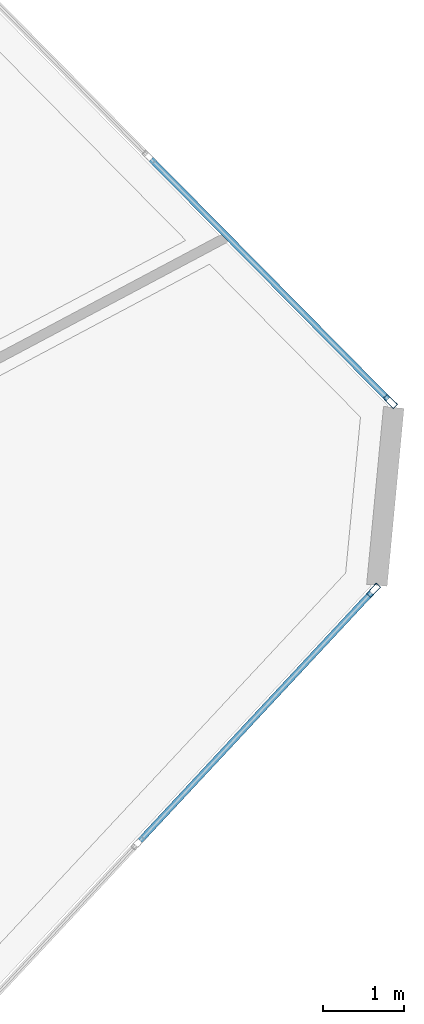
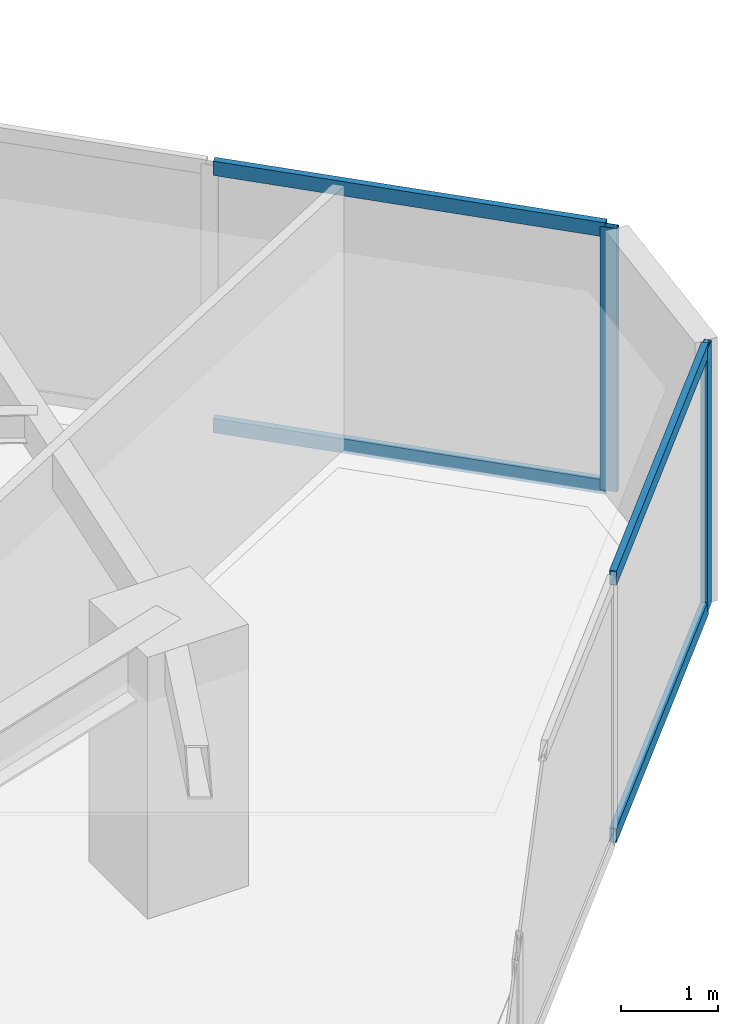
# One storey, part 14 of 23: 6 members, 2 elements without a shape of their own.
"""IFC4 building model written with IfcOpenShell, lengths in metres."""

from ifc_helpers import new_model, si_unit, direction, frame, origin, origin_2d, place, context, subcontext, project, spatial, hollow_rectangle, extrude, source, transform, mapped, material, layer, layer_set, material_profile, profile_set, type_object, type_shapes, element, aggregate, save


model = new_model("IFC4")

# Units and contexts
model_context = context("Model", 3, precision=1e-05, world=origin(), true_north=direction((0.0, 1.0)))
body_context = subcontext(model_context, "Body", "Model", "MODEL_VIEW")
ifc_project = project(units=[si_unit("LENGTHUNIT", "METRE"), si_unit("AREAUNIT", "SQUARE_METRE"), si_unit("VOLUMEUNIT", "CUBIC_METRE"), si_unit("PLANEANGLEUNIT", "RADIAN"), si_unit("MASSUNIT", "GRAM", prefix="KILO")], contexts=[model_context])

# Site, building, storey
site_placement = place(None, origin())
site = spatial("IfcSite", under=ifc_project, at=site_placement, CompositionType="ELEMENT")
building_placement = place(site_placement, origin())
building = spatial("IfcBuilding", under=site, at=building_placement, Name="Talar Marvaseh", CompositionType="ELEMENT")
storey_placement = place(building_placement, frame((0.0, 0.0, 100.199951171875)))
storey = spatial("IfcBuildingStorey", under=building, at=storey_placement, Name="L25", CompositionType="ELEMENT", Elevation=100.199951171875)

# Curtain wall, member
ifc_material = material(Name="Architectural Aluminium", Category="aluminium")
ifc_layer = layer(ifc_material, 0.199951171875)
ifc_layer_set = layer_set([ifc_layer], Name="Architectural Aluminium")
curtain_wall_type = type_object("IfcCurtainWallType", Name="Unitised Acoustic Library Curtain Wall Z2", PredefinedType="NOTDEFINED", material=ifc_layer_set)
curtain_wall_1_placement = place(storey_placement, origin())
curtain_wall_1 = element("IfcCurtainWall", 1, at=curtain_wall_1_placement, inside=storey, type_object=curtain_wall_type, Name="L25 Unitised Acoustic Library Curtain Wall Z2", PredefinedType="NOTDEFINED")
ifc_material_profile_1 = material_profile(ifc_material, hollow_rectangle(XDim=0.074951171875, YDim=0.179931640625, WallThickness=0.0048828125, at=origin_2d()), Name="RHS180x75x5")
ifc_profile_set_1 = profile_set([ifc_material_profile_1], Name="Architectural Aluminium")
member_type_1 = type_object("IfcMemberType", Name="Unitised Curtain Wall Standard Mullion RHS180x75x5", PredefinedType="MULLION", material=ifc_profile_set_1)
shared_shape_1 = source(origin(), body_context, "Body", "SweptSolid", [
    extrude(hollow_rectangle(XDim=0.074951171875, YDim=0.179931640625, WallThickness=0.0048828125, at=origin_2d()), origin(), (0.0, 0.0, 1.0), 3.31005859375),
])
type_shapes(member_type_1, [shared_shape_1])
member_1_placement = place(storey_placement, frame((49.108642578125, 31.866455078125, 0.0), z_axis=(0.0, 0.0, 1.0), x_axis=(0.711366317879, 0.702821429517, 0.0)))
member_1 = element("IfcMember", 2, at=member_1_placement, type_object=member_type_1, Name="CW-Z2 mullion 5", PredefinedType="MULLION", context=body_context, shape_type="MappedRepresentation", body=[
    mapped(shared_shape_1, transform((0.0, 0.0, 0.0), x_axis=(1.0, 0.0, 0.0), y_axis=(0.0, 1.0, 0.0), z_axis=(0.0, 0.0, 1.0), scale=1.0)),
])

curtain_wall_2_placement = place(storey_placement, origin())
curtain_wall_2 = element("IfcCurtainWall", 3, at=curtain_wall_2_placement, inside=storey, type_object=curtain_wall_type, Name="L25 Unitised Acoustic Library Curtain Wall Z2", PredefinedType="NOTDEFINED")
member_2_placement = place(storey_placement, frame((48.90087890625, 29.522705078125, 0.0), z_axis=(0.0, 0.0, 1.0), x_axis=(0.731249985711, -0.682109564805, 0.0)))
member_2 = element("IfcMember", 4, at=member_2_placement, type_object=member_type_1, Name="CW-Z2 mullion 1", PredefinedType="MULLION", context=body_context, shape_type="MappedRepresentation", body=[
    mapped(shared_shape_1, transform((0.0, 0.0, 0.0), x_axis=(1.0, 0.0, 0.0), y_axis=(0.0, 1.0, 0.0), z_axis=(0.0, 0.0, 1.0), scale=1.0)),
])

# Member
ifc_material_profile_2 = material_profile(ifc_material, hollow_rectangle(XDim=0.074951171875, YDim=0.179931640625, WallThickness=0.0048828125, at=origin_2d()), Name="RHS180x75x5")
ifc_profile_set_2 = profile_set([ifc_material_profile_2], Name="Architectural Aluminium")
member_type_2 = type_object("IfcMemberType", Name="Unitised Curtain Wall Transom RHS180x75x5", PredefinedType="USERDEFINED", material=ifc_profile_set_2)
shared_shape_2 = source(origin(), body_context, "Body", "SweptSolid", [
    extrude(hollow_rectangle(XDim=0.074951171875, YDim=0.179931640625, WallThickness=0.0048828125, at=origin_2d()), origin(), (0.0, 0.0, 1.0), 4.185546875),
])
member_3_placement = place(storey_placement, frame((46.140625, 34.87060546875, 0.03759765625), z_axis=(0.702806600057, -0.711380968902, 0.0), x_axis=(0.711380968902, 0.702806600057, 0.0)))
member_3 = element("IfcMember", 5, at=member_3_placement, type_object=member_type_2, Name="CW-Z2 transom 4.1", ObjectType="TRANSOM", PredefinedType="USERDEFINED", context=body_context, shape_type="MappedRepresentation", body=[
    mapped(shared_shape_2, transform((0.0, 0.0, 0.0), x_axis=(1.0, 0.0, 0.0), y_axis=(0.0, 1.0, 0.0), z_axis=(0.0, 0.0, 1.0), scale=1.0)),
])

member_4_placement = place(storey_placement, frame((46.140625, 34.87060546875, 3.2724609375), z_axis=(0.702806600057, -0.711380968902, 0.0), x_axis=(0.711380968902, 0.702806600057, 0.0)))
member_4 = element("IfcMember", 6, at=member_4_placement, type_object=member_type_2, Name="CW-Z2 transom 4.2", ObjectType="TRANSOM", PredefinedType="USERDEFINED", context=body_context, shape_type="MappedRepresentation", body=[
    mapped(shared_shape_2, transform((0.0, 0.0, 0.0), x_axis=(1.0, 0.0, 0.0), y_axis=(0.0, 1.0, 0.0), z_axis=(0.0, 0.0, 1.0), scale=1.0)),
])

aggregate(curtain_wall_1, [member_1, member_3, member_4])

shared_shape_3 = source(origin(), body_context, "Body", "SweptSolid", [
    extrude(hollow_rectangle(XDim=0.074951171875, YDim=0.179931640625, WallThickness=0.0048828125, at=origin_2d()), origin(), (0.0, 0.0, 1.0), 4.2109375),
])
type_shapes(member_type_2, [shared_shape_2, shared_shape_3])
member_5_placement = place(storey_placement, frame((48.875244140625, 29.495361328125, 0.03759765625), z_axis=(-0.682097191187, -0.731261527619, 0.0), x_axis=(0.731261527619, -0.682097191187, 0.0)))
member_5 = element("IfcMember", 7, at=member_5_placement, type_object=member_type_2, Name="CW-Z2 transom 1.1", ObjectType="TRANSOM", PredefinedType="USERDEFINED", context=body_context, shape_type="MappedRepresentation", body=[
    mapped(shared_shape_3, transform((0.0, 0.0, 0.0), x_axis=(1.0, 0.0, 0.0), y_axis=(0.0, 1.0, 0.0), z_axis=(0.0, 0.0, 1.0), scale=1.0)),
])

member_6_placement = place(storey_placement, frame((48.875244140625, 29.495361328125, 3.2724609375), z_axis=(-0.682097191187, -0.731261527619, 0.0), x_axis=(0.731261527619, -0.682097191187, 0.0)))
member_6 = element("IfcMember", 8, at=member_6_placement, type_object=member_type_2, Name="CW-Z2 transom 1.2", ObjectType="TRANSOM", PredefinedType="USERDEFINED", context=body_context, shape_type="MappedRepresentation", body=[
    mapped(shared_shape_3, transform((0.0, 0.0, 0.0), x_axis=(1.0, 0.0, 0.0), y_axis=(0.0, 1.0, 0.0), z_axis=(0.0, 0.0, 1.0), scale=1.0)),
])

aggregate(curtain_wall_2, [member_2, member_5, member_6])

save(model, "model.ifc")
